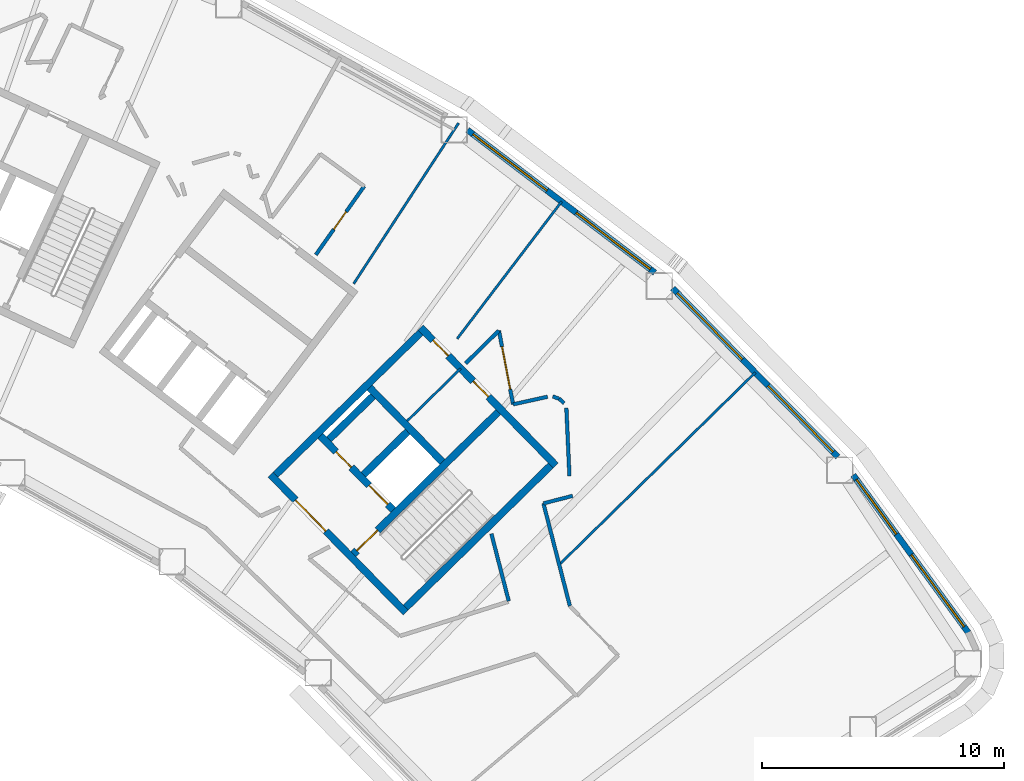
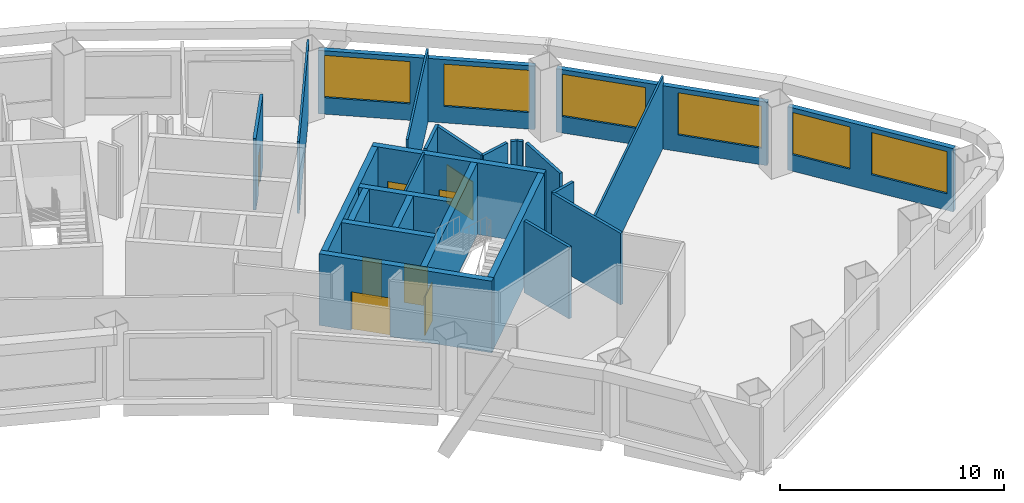
# One storey, part 7 of 11: 26 walls, 8 doors, 6 windows, 14 openings.
"""IFC4 building model written with IfcOpenShell, lengths in metres."""

import ifcopenshell
import ifcopenshell.guid

model = None  # the IFC model being written
_history = None  # IfcOwnerHistory: only IFC2X3 demands one
_inside = {}  # id of a spatial element -> (the spatial element, [elements in it])
_under = {}  # id of a project, library or spatial element -> (it, [spatial elements below it])
_declared = {}  # id of a project -> (the project, [libraries it declares])
_typed = {}  # id of a type object -> (the type object, [elements of that type])
_made_of = {}  # id of a material, layer set ... -> (it, [elements and type objects made of it])


def new_model(schema):
    """Start an empty IFC model of exactly this schema.

    Asked for "IFC4X3", IfcOpenShell would pick the latest addendum, in which some entities
    have other attributes; the version numbers below select the first issue.
    IFC2X3 requires an IfcOwnerHistory on every rooted entity: one is made here for all.
    """
    global model, _history
    if schema == "IFC4X3":
        model = ifcopenshell.file(schema_version=(4, 3, 0, 0))
    else:
        model = ifcopenshell.file(schema=schema)
    _inside.clear()
    _under.clear()
    _declared.clear()
    _typed.clear()
    _made_of.clear()
    _history = None
    if model.schema == "IFC2X3":
        org = make("IfcOrganization", Name="unknown")
        user = make(
            "IfcPersonAndOrganization",
            ThePerson=make("IfcPerson", FamilyName="unknown"),
            TheOrganization=org,
        )
        app = make(
            "IfcApplication",
            ApplicationDeveloper=org,
            Version="unknown",
            ApplicationFullName="unknown",
            ApplicationIdentifier="unknown",
        )
        _history = make(
            "IfcOwnerHistory",
            OwningUser=user,
            OwningApplication=app,
            ChangeAction="ADDED",
            CreationDate=0,
        )
    return model


def make(cls, **values):
    """One entity of the class cls with the attributes given. An attribute that is None is left unset."""
    return model.create_entity(
        cls, **{name: value for name, value in values.items() if value is not None}
    )


def rooted(cls, **values):
    """An entity with a GlobalId (a new one), such as an element, a storey or a relation."""
    return make(cls, GlobalId=ifcopenshell.guid.new(), OwnerHistory=_history, **values)


def si_unit(unit_type, name, prefix=None):
    """IfcSIUnit, for example si_unit("LENGTHUNIT", "METRE", prefix="MILLI")."""
    return make("IfcSIUnit", UnitType=unit_type, Prefix=prefix, Name=name)


def assignment(units):
    """IfcUnitAssignment: the units of a project."""
    return None if units is None else make("IfcUnitAssignment", Units=units)


def point(xyz):
    """IfcCartesianPoint."""
    return None if xyz is None else make("IfcCartesianPoint", Coordinates=xyz)


def direction(xyz):
    """IfcDirection."""
    return None if xyz is None else make("IfcDirection", DirectionRatios=xyz)


def frame(location, z_axis=None, x_axis=None):
    """IfcAxis2Placement3D, a coordinate frame: its origin and axes. An axis left out is left unset."""
    return make(
        "IfcAxis2Placement3D",
        Location=point(location),
        Axis=direction(z_axis),
        RefDirection=direction(x_axis),
    )


def frame_2d(location, x_axis=None):
    """IfcAxis2Placement2D, a coordinate frame in the plane: its origin and x axis."""
    return make(
        "IfcAxis2Placement2D", Location=point(location), RefDirection=direction(x_axis)
    )


def origin():
    """The frame at (0, 0, 0) with its axes left unset."""
    return frame((0.0, 0.0, 0.0))


def place(relative_to, where):
    """IfcLocalPlacement: puts the frame where relative to a parent placement (None: the world)."""
    return make(
        "IfcLocalPlacement", PlacementRelTo=relative_to, RelativePlacement=where
    )


def context(
    kind, dimensions, precision=None, world=None, true_north=None, identifier=None
):
    """IfcGeometricRepresentationContext, for example the 3D "Model" context."""
    return make(
        "IfcGeometricRepresentationContext",
        ContextIdentifier=identifier,
        ContextType=kind,
        CoordinateSpaceDimension=dimensions,
        Precision=precision,
        WorldCoordinateSystem=world,
        TrueNorth=true_north,
    )


def subcontext(parent, identifier, kind, view, scale=None):
    """IfcGeometricRepresentationSubContext, for example "Body" below "Model"."""
    return make(
        "IfcGeometricRepresentationSubContext",
        ContextIdentifier=identifier,
        ContextType=kind,
        ParentContext=parent,
        TargetScale=scale,
        TargetView=view,
    )


def project(units=None, contexts=None):
    """IfcProject with its units and contexts."""
    return rooted(
        "IfcProject",
        Name="project",
        RepresentationContexts=contexts,
        UnitsInContext=assignment(units),
    )


def spatial(cls, under=None, at=None, **own):
    """A site, building, storey or space (cls), placed at a placement, below another one or the project."""
    s = rooted(cls, ObjectPlacement=at, **own)
    if under is not None:
        _under.setdefault(under.id(), (under, []))[1].append(s)
    return s


def profile(cls, at=None, kind="AREA", **sizes):
    """A parametric profile (cls). Its sizes go by their IFC names, for example OverallWidth=200.0."""
    return make(cls, ProfileType=kind, Position=at, **sizes)


def rectangle(**sizes):
    """IfcRectangleProfileDef."""
    return profile("IfcRectangleProfileDef", **sizes)


def extrude(swept, where, along, depth):
    """IfcExtrudedAreaSolid: the profile swept, set in the frame where, extruded along a direction by depth."""
    return make(
        "IfcExtrudedAreaSolid",
        SweptArea=swept,
        Position=where,
        ExtrudedDirection=direction(along),
        Depth=depth,
    )


def shape(context_of_items, identifier, shape_type, items):
    """IfcShapeRepresentation: the items that make up one representation, for example the "Body"."""
    return make(
        "IfcShapeRepresentation",
        ContextOfItems=context_of_items,
        RepresentationIdentifier=identifier,
        RepresentationType=shape_type,
        Items=items,
    )


def material(Name=None, Category=None):
    """IfcMaterial."""
    return make("IfcMaterial", Name=Name, Category=Category)


def layer(
    of_material, thickness, ventilated=None, Name=None, Category=None, Priority=None
):
    """IfcMaterialLayer: one layer of a wall or slab, of a material (None: an air gap)."""
    return make(
        "IfcMaterialLayer",
        Material=of_material,
        LayerThickness=thickness,
        IsVentilated=ventilated,
        Name=Name,
        Category=Category,
        Priority=Priority,
    )


def layer_set(layers, Name=None):
    """IfcMaterialLayerSet."""
    return make("IfcMaterialLayerSet", MaterialLayers=layers, LayerSetName=Name)


def made_of(thing, what):
    """Note that an element or type object is made of a material, layer set ...; save() writes the relation."""
    if what is not None:
        _made_of.setdefault(what.id(), (what, []))[1].append(thing)
    return thing


def type_object(cls, material=None, **own):
    """A type object (cls), such as IfcWallType, which elements share."""
    return made_of(rooted(cls, **own), material)


def element(
    cls,
    number,
    at=None,
    inside=None,
    cuts=None,
    type_object=None,
    material=None,
    context=None,
    identifier="Body",
    shape_type=None,
    held_by="IfcProductDefinitionShape",
    body=None,
    shapes=None,
    **own,
):
    """One element of the class cls, such as IfcWall. Its Tag is "e" and its number.

    at: its placement. inside: the storey or other place that contains it. cuts: it is an
    opening in that element (IfcRelVoidsElement). A single representation is given by context,
    identifier, shape_type and body (its items); several are given by shapes. held_by: the class
    of the entity that holds the representations. save() writes the other relations.
    """
    e = rooted(cls, Tag="e%d" % number, ObjectPlacement=at, **own)
    if body is not None:
        shapes = [shape(context, identifier, shape_type, body)]
    if shapes is not None:
        e.Representation = make(held_by, Representations=shapes)
    if inside is not None:
        _inside.setdefault(inside.id(), (inside, []))[1].append(e)
    if cuts is not None:
        rooted(
            "IfcRelVoidsElement", RelatingBuildingElement=cuts, RelatedOpeningElement=e
        )
    if type_object is not None:
        _typed.setdefault(type_object.id(), (type_object, []))[1].append(e)
    return made_of(e, material)


def fill(opening, filler):
    """IfcRelFillsElement: the door or window that sits in an opening."""
    return rooted(
        "IfcRelFillsElement",
        RelatingOpeningElement=opening,
        RelatedBuildingElement=filler,
    )


def aggregate(whole, parts):
    """IfcRelAggregates: a whole, such as a stair, and the parts it consists of."""
    return rooted("IfcRelAggregates", RelatingObject=whole, RelatedObjects=parts)


def save(model, path):
    """Write the relations noted so far, then the file.

    IfcRelAggregates (storeys below a building ...), IfcRelContainedInSpatialStructure (elements
    in a storey), IfcRelDefinesByType, IfcRelAssociatesMaterial and IfcRelDeclares: one each for
    every whole, place, type object, material and project.
    """
    for whole, parts in _under.values():
        aggregate(whole, parts)
    for where, things in _inside.values():
        rooted(
            "IfcRelContainedInSpatialStructure",
            RelatedElements=things,
            RelatingStructure=where,
        )
    for kind, things in _typed.values():
        rooted("IfcRelDefinesByType", RelatedObjects=things, RelatingType=kind)
    for what, things in _made_of.values():
        rooted("IfcRelAssociatesMaterial", RelatedObjects=things, RelatingMaterial=what)
    for by, libraries in _declared.values():
        rooted("IfcRelDeclares", RelatingContext=by, RelatedDefinitions=libraries)
    model.write(path)


model = new_model("IFC4")

# Units and contexts
model_context = context("Model", 3, precision=1e-05, world=origin(), true_north=direction((0.0, 1.0)))
body_context = subcontext(model_context, "Body", "Model", "MODEL_VIEW")
ifc_project = project(units=[si_unit("LENGTHUNIT", "METRE"), si_unit("AREAUNIT", "SQUARE_METRE"), si_unit("VOLUMEUNIT", "CUBIC_METRE"), si_unit("PLANEANGLEUNIT", "RADIAN"), si_unit("MASSUNIT", "GRAM", prefix="KILO")], contexts=[model_context])

# Site, building, storey
site_placement = place(None, origin())
site = spatial("IfcSite", under=ifc_project, at=site_placement, CompositionType="ELEMENT")
building_placement = place(site_placement, origin())
building = spatial("IfcBuilding", under=site, at=building_placement, Name="Tuul Gate Civic Tower", CompositionType="ELEMENT")
storey_placement = place(building_placement, frame((0.0, 0.0, 120.300048828125)))
storey = spatial("IfcBuildingStorey", under=building, at=storey_placement, Name="Level 27", CompositionType="ELEMENT", Elevation=120.300048828125)

# Wall, opening, door
ifc_material_1 = material(Name="Concrete C50/60", Category="concrete")
ifc_layer_1 = layer(ifc_material_1, 0.300048828125)
ifc_layer_set_1 = layer_set([ifc_layer_1], Name="Concrete C50/60")
wall_type_1 = type_object("IfcWallType", Name="Core wall C50/60", PredefinedType="SHEAR", material=ifc_layer_set_1)
wall_1_placement = place(storey_placement, frame((48.22509765625, -18.327880859375, 0.0), z_axis=(0.0, 0.0, 1.0), x_axis=(-0.700021979774, 0.714121297703, 0.0)))
wall_1 = element("IfcWall", 1, at=wall_1_placement, inside=storey, type_object=wall_type_1, Name="Core wall", PredefinedType="SHEAR", context=body_context, shape_type="SweptSolid", body=[
    extrude(rectangle(XDim=8.0, YDim=0.300048828125, at=frame_2d((4.0, 0.0))), origin(), (0.0, 0.0, 1.0), 3.89990234375),
])
opening_1_placement = place(wall_1_placement, frame((4.72509765625, 0.0, 0.0)))
opening_1 = element("IfcOpeningElement", 2, at=opening_1_placement, cuts=wall_1, Name="Opening LB-E1-LOBBY-1", PredefinedType="OPENING", context=body_context, shape_type="SweptSolid", body=[
    extrude(rectangle(XDim=1.800048828125, YDim=2.10009765625, at=frame_2d((0.89990234375, 1.050048828125))), frame((0.0, 0.16015625, 0.0), z_axis=(0.0, -1.0, 0.0), x_axis=(1.0, 0.0, 0.0)), (0.0, 0.0, 1.0), 0.320068359375),
])
ifc_material_2 = material(Name="Steel", Category="steel")
door_type_1 = type_object("IfcDoorType", Name="Lobby door", OperationType="DOUBLE_DOOR_SINGLE_SWING", PredefinedType="DOOR", material=ifc_material_2)
door_1_placement = place(opening_1_placement, frame((1.800048828125, 0.0, 0.0), z_axis=(0.0, 0.0, 1.0), x_axis=(-1.0, 0.0, 0.0)))
door_1 = element("IfcDoor", 3, at=door_1_placement, inside=storey, type_object=door_type_1, Name="Lobby door E1-LOBBY", OperationType="DOUBLE_DOOR_SINGLE_SWING", OverallHeight=2.10009765625, OverallWidth=1.800048828125, PredefinedType="DOOR", context=body_context, shape_type="SweptSolid", body=[
    extrude(rectangle(XDim=1.800048828125, YDim=2.10009765625, at=frame_2d((0.900146484375, 1.050048828125))), frame((0.0, 0.02490234375, 0.0), z_axis=(0.0, -1.0, 0.0), x_axis=(1.0, 0.0, 0.0)), (0.0, 0.0, 1.0), 0.050048828125),
])
fill(opening_1, door_1)

# Wall, openings, doors
wall_2_placement = place(storey_placement, frame((47.701904296875, -14.079833984375, 0.0), z_axis=(0.0, 0.0, 1.0), x_axis=(-0.700002721075, 0.714140175657, 0.0)))
wall_2 = element("IfcWall", 4, at=wall_2_placement, inside=storey, type_object=wall_type_1, Name="Core wall", PredefinedType="SHEAR", context=body_context, shape_type="SweptSolid", body=[
    extrude(rectangle(XDim=4.300048828125, YDim=0.300048828125, at=frame_2d((2.14990234375, 0.0))), origin(), (0.0, 0.0, 1.0), 3.89990234375),
])
opening_2_placement = place(wall_2_placement, frame((0.324951171875, 0.0, 0.0)))
opening_2 = element("IfcOpeningElement", 5, at=opening_2_placement, cuts=wall_2, Name="Opening LD-L4", PredefinedType="OPENING", context=body_context, shape_type="SweptSolid", body=[
    extrude(rectangle(XDim=1.10009765625, YDim=2.10009765625, at=frame_2d((0.550048828125, 1.050048828125))), frame((0.0, 0.16015625, 0.0), z_axis=(0.0, -1.0, 0.0), x_axis=(1.0, 0.0, 0.0)), (0.0, 0.0, 1.0), 0.320068359375),
])
opening_3_placement = place(wall_2_placement, frame((2.47509765625, 0.0, 0.0)))
opening_3 = element("IfcOpeningElement", 6, at=opening_3_placement, cuts=wall_2, Name="Opening FB-E1A2", PredefinedType="OPENING", context=body_context, shape_type="SweptSolid", body=[
    extrude(rectangle(XDim=0.89990234375, YDim=2.10009765625, at=frame_2d((0.449951171875, 1.050048828125))), frame((0.0, 0.16015625, 0.0), z_axis=(0.0, -1.0, 0.0), x_axis=(1.0, 0.0, 0.0)), (0.0, 0.0, 1.0), 0.320068359375),
])
ifc_material_3 = material(Name="Stainless steel", Category="steel")
door_type_2 = type_object("IfcDoorType", Name="Landing door", OperationType="DOUBLE_DOOR_SLIDING", PredefinedType="DOOR", material=ifc_material_3)
door_2_placement = place(opening_2_placement, origin())
door_2 = element("IfcDoor", 7, at=door_2_placement, inside=storey, type_object=door_type_2, Name="Low-rise lift L4 landing door", OperationType="DOUBLE_DOOR_SLIDING", OverallHeight=2.10009765625, OverallWidth=1.10009765625, PredefinedType="DOOR", context=body_context, shape_type="SweptSolid", body=[
    extrude(rectangle(XDim=1.10009765625, YDim=2.10009765625, at=frame_2d((0.550048828125, 1.050048828125))), frame((0.0, 0.02490234375, 0.0), z_axis=(0.0, -1.0, 0.0), x_axis=(1.0, 0.0, 0.0)), (0.0, 0.0, 1.0), 0.050048828125),
])
fill(opening_2, door_2)
ifc_material_4 = material(Name="Steel", Category="steel")
door_type_3 = type_object("IfcDoorType", Name="Store door", OperationType="NOTDEFINED", PredefinedType="DOOR", material=ifc_material_4)
door_3_placement = place(opening_3_placement, frame((0.89990234375, 0.0, 0.0), z_axis=(0.0, 0.0, 1.0), x_axis=(-1.0, 0.0, 0.0)))
door_3 = element("IfcDoor", 8, at=door_3_placement, inside=storey, type_object=door_type_3, Name="Store door E1A2", OperationType="SINGLE_SWING_LEFT", OverallHeight=2.10009765625, OverallWidth=0.89990234375, PredefinedType="DOOR", context=body_context, shape_type="SweptSolid", body=[
    extrude(rectangle(XDim=0.89990234375, YDim=2.10009765625, at=frame_2d((0.449951171875, 1.050048828125))), frame((0.0, 0.02490234375, 0.0), z_axis=(0.0, -1.0, 0.0), x_axis=(1.0, 0.0, 0.0)), (0.0, 0.0, 1.0), 0.050048828125),
])
fill(opening_3, door_3)

# Wall
wall_3_placement = place(storey_placement, frame((49.737060546875, -12.0849609375, 0.0), z_axis=(0.0, 0.0, 1.0), x_axis=(-0.700002721075, 0.714140175657, 0.0)))
element("IfcWall", 9, at=wall_3_placement, inside=storey, type_object=wall_type_1, Name="Core wall", PredefinedType="SHEAR", context=body_context, shape_type="SweptSolid", body=[
    extrude(rectangle(XDim=4.300048828125, YDim=0.300048828125, at=frame_2d((2.14990234375, 0.0))), origin(), (0.0, 0.0, 1.0), 3.89990234375),
])

# Wall, openings, doors
wall_4_placement = place(storey_placement, frame((54.43798828125, -12.23779296875, 0.0), z_axis=(0.0, 0.0, 1.0), x_axis=(-0.700021979774, 0.714121297703, 0.0)))
wall_4 = element("IfcWall", 10, at=wall_4_placement, inside=storey, type_object=wall_type_1, Name="Core wall", PredefinedType="SHEAR", context=body_context, shape_type="SweptSolid", body=[
    extrude(rectangle(XDim=8.0, YDim=0.300048828125, at=frame_2d((4.0, 0.0))), origin(), (0.0, 0.0, 1.0), 3.89990234375),
])
opening_4_placement = place(wall_4_placement, frame((3.987548828125, 0.0, 0.0)))
opening_4 = element("IfcOpeningElement", 11, at=opening_4_placement, cuts=wall_4, Name="Opening I-D28", PredefinedType="OPENING", context=body_context, shape_type="SweptSolid", body=[
    extrude(rectangle(XDim=0.89990234375, YDim=2.10009765625, at=frame_2d((0.449951171875, 1.050048828125))), frame((0.0, 0.16015625, 0.0), z_axis=(0.0, -1.0, 0.0), x_axis=(1.0, 0.0, 0.0)), (0.0, 0.0, 1.0), 0.320068359375),
])
opening_5_placement = place(wall_4_placement, frame((6.362548828125, 0.0, 0.0)))
opening_5 = element("IfcOpeningElement", 12, at=opening_5_placement, cuts=wall_4, Name="Opening I-D29", PredefinedType="OPENING", context=body_context, shape_type="SweptSolid", body=[
    extrude(rectangle(XDim=0.89990234375, YDim=2.10009765625, at=frame_2d((0.449951171875, 1.050048828125))), frame((0.0, 0.16015625, 0.0), z_axis=(0.0, -1.0, 0.0), x_axis=(1.0, 0.0, 0.0)), (0.0, 0.0, 1.0), 0.320068359375),
])
ifc_material_5 = material(Name="Timber door leaf", Category="wood")
door_type_4 = type_object("IfcDoorType", Name="Door D09", OperationType="NOTDEFINED", PredefinedType="DOOR", material=ifc_material_5)
door_4_placement = place(opening_4_placement, origin())
door_4 = element("IfcDoor", 13, at=door_4_placement, inside=storey, type_object=door_type_4, Name="Door I-D28", OperationType="SINGLE_SWING_LEFT", OverallHeight=2.10009765625, OverallWidth=0.89990234375, PredefinedType="DOOR", context=body_context, shape_type="SweptSolid", body=[
    extrude(rectangle(XDim=0.89990234375, YDim=2.10009765625, at=frame_2d((0.449951171875, 1.050048828125))), frame((0.0, 0.02490234375, 0.0), z_axis=(0.0, -1.0, 0.0), x_axis=(1.0, 0.0, 0.0)), (0.0, 0.0, 1.0), 0.050048828125),
])
fill(opening_4, door_4)
door_5_placement = place(opening_5_placement, origin())
door_5 = element("IfcDoor", 14, at=door_5_placement, inside=storey, type_object=door_type_4, Name="Door I-D29", OperationType="SINGLE_SWING_LEFT", OverallHeight=2.10009765625, OverallWidth=0.89990234375, PredefinedType="DOOR", context=body_context, shape_type="SweptSolid", body=[
    extrude(rectangle(XDim=0.89990234375, YDim=2.10009765625, at=frame_2d((0.449951171875, 1.050048828125))), frame((0.0, 0.02490234375, 0.0), z_axis=(0.0, -1.0, 0.0), x_axis=(1.0, 0.0, 0.0)), (0.0, 0.0, 1.0), 0.050048828125),
])
fill(opening_5, door_5)

# Wall
wall_5_placement = place(storey_placement, frame((48.227294921875, -18.115966796875, 0.0), z_axis=(0.0, 0.0, 1.0), x_axis=(0.714105315431, 0.700038283577, 0.0)))
element("IfcWall", 15, at=wall_5_placement, inside=storey, type_object=wall_type_1, Name="Core wall", PredefinedType="SHEAR", context=body_context, shape_type="SweptSolid", body=[
    extrude(rectangle(XDim=8.400146484375, YDim=0.300048828125, at=frame_2d((4.2001953125, 0.0))), origin(), (0.0, 0.0, 1.0), 3.89990234375),
])

# Wall, opening, door
wall_6_placement = place(storey_placement, frame((46.05712890625, -15.902099609375, 0.0), z_axis=(0.0, 0.0, 1.0), x_axis=(0.714134086973, 0.700008932674, 0.0)))
wall_6 = element("IfcWall", 16, at=wall_6_placement, inside=storey, type_object=wall_type_1, Name="Core wall", PredefinedType="SHEAR", context=body_context, shape_type="SweptSolid", body=[
    extrude(rectangle(XDim=8.400146484375, YDim=0.300048828125, at=frame_2d((4.2001953125, 0.0))), origin(), (0.0, 0.0, 1.0), 3.89990234375),
])
opening_6_placement = place(wall_6_placement, frame((0.199951171875, 0.0, 0.0)))
opening_6 = element("IfcOpeningElement", 17, at=opening_6_placement, cuts=wall_6, Name="Opening SD-ST-3", PredefinedType="OPENING", context=body_context, shape_type="SweptSolid", body=[
    extrude(rectangle(XDim=1.199951171875, YDim=2.10009765625, at=frame_2d((0.60009765625, 1.050048828125))), frame((0.0, 0.16015625, 0.0), z_axis=(0.0, -1.0, 0.0), x_axis=(1.0, 0.0, 0.0)), (0.0, 0.0, 1.0), 0.320068359375),
])
ifc_material_6 = material(Name="Steel", Category="steel")
door_type_5 = type_object("IfcDoorType", Name="Stair door", OperationType="NOTDEFINED", PredefinedType="DOOR", material=ifc_material_6)
door_6_placement = place(opening_6_placement, origin())
door_6 = element("IfcDoor", 18, at=door_6_placement, inside=storey, type_object=door_type_5, Name="Stair door ST-3", OperationType="SINGLE_SWING_LEFT", OverallHeight=2.10009765625, OverallWidth=1.199951171875, PredefinedType="DOOR", context=body_context, shape_type="SweptSolid", body=[
    extrude(rectangle(XDim=1.199951171875, YDim=2.10009765625, at=frame_2d((0.60009765625, 1.050048828125))), frame((0.0, 0.02490234375, 0.0), z_axis=(0.0, -1.0, 0.0), x_axis=(1.0, 0.0, 0.0)), (0.0, 0.0, 1.0), 0.050048828125),
])
fill(opening_6, door_6)

# Walls
wall_7_placement = place(storey_placement, frame((46.47900390625, -12.617919921875, 0.0), z_axis=(0.0, 0.0, 1.0), x_axis=(0.71410944159, 0.700034074479, 0.0)))
element("IfcWall", 19, at=wall_7_placement, inside=storey, type_object=wall_type_1, Name="Core wall", PredefinedType="SHEAR", context=body_context, shape_type="SweptSolid", body=[
    extrude(rectangle(XDim=2.5498046875, YDim=0.300048828125, at=frame_2d((1.27490234375, 0.0))), origin(), (0.0, 0.0, 1.0), 3.89990234375),
])
wall_8_placement = place(storey_placement, frame((45.0439453125, -11.154052734375, 0.0), z_axis=(0.0, 0.0, 1.0), x_axis=(0.714108498262, 0.700035036773, 0.0)))
element("IfcWall", 20, at=wall_8_placement, inside=storey, type_object=wall_type_1, Name="Core wall", PredefinedType="SHEAR", context=body_context, shape_type="SweptSolid", body=[
    extrude(rectangle(XDim=2.550048828125, YDim=0.300048828125, at=frame_2d((1.27490234375, 0.0))), origin(), (0.0, 0.0, 1.0), 3.89990234375),
])
wall_9_placement = place(storey_placement, frame((42.837158203125, -12.616943359375, 0.0), z_axis=(0.0, 0.0, 1.0), x_axis=(0.714119844755, 0.700023461983, 0.0)))
element("IfcWall", 21, at=wall_9_placement, inside=storey, type_object=wall_type_1, Name="Core wall", PredefinedType="SHEAR", context=body_context, shape_type="SweptSolid", body=[
    extrude(rectangle(XDim=8.39990234375, YDim=0.300048828125, at=frame_2d((4.199951171875, 0.0))), origin(), (0.0, 0.0, 1.0), 3.89990234375),
])

# Wall, opening, door
ifc_material_7 = material(Name="Gypsum board partition")
ifc_layer_2 = layer(ifc_material_7, 0.14990234375)
ifc_layer_set_2 = layer_set([ifc_layer_2], Name="Gypsum board partition")
wall_type_2 = type_object("IfcWallType", Name="Corridor wall P150", PredefinedType="PARTITIONING", material=ifc_layer_set_2)
wall_10_placement = place(storey_placement, frame((52.0830078125, -6.65283203125, 0.0), z_axis=(0.0, 0.0, 1.0), x_axis=(0.1884978137, -0.982073609375, 0.0)))
wall_10 = element("IfcWall", 22, at=wall_10_placement, inside=storey, type_object=wall_type_2, Name="p006", PredefinedType="PARTITIONING", context=body_context, shape_type="SweptSolid", body=[
    extrude(rectangle(XDim=3.1083984375, YDim=0.14990234375, at=frame_2d((1.55419921875, 0.0))), origin(), (0.0, 0.0, 1.0), 3.89990234375),
])
opening_7_placement = place(wall_10_placement, frame((0.676025390625, 0.0, 0.0)))
opening_7 = element("IfcOpeningElement", 23, at=opening_7_placement, cuts=wall_10, Name="Opening I-D02", PredefinedType="OPENING", context=body_context, shape_type="SweptSolid", body=[
    extrude(rectangle(XDim=1.800048828125, YDim=2.10009765625, at=frame_2d((0.89990234375, 1.050048828125))), frame((0.0, 0.0849609375, 0.0), z_axis=(0.0, -1.0, 0.0), x_axis=(1.0, 0.0, 0.0)), (0.0, 0.0, 1.0), 0.169921875),
])
ifc_material_8 = material(Name="Timber door leaf, double", Category="wood")
door_type_6 = type_object("IfcDoorType", Name="Door D18", OperationType="DOUBLE_DOOR_SINGLE_SWING", PredefinedType="DOOR", material=ifc_material_8)
door_7_placement = place(opening_7_placement, origin())
door_7 = element("IfcDoor", 24, at=door_7_placement, inside=storey, type_object=door_type_6, Name="Door I-D02", OperationType="DOUBLE_DOOR_SINGLE_SWING", OverallHeight=2.10009765625, OverallWidth=1.800048828125, PredefinedType="DOOR", context=body_context, shape_type="SweptSolid", body=[
    extrude(rectangle(XDim=1.800048828125, YDim=2.10009765625, at=frame_2d((0.89990234375, 1.050048828125))), frame((0.0, 0.02490234375, 0.0), z_axis=(0.0, -1.0, 0.0), x_axis=(1.0, 0.0, 0.0)), (0.0, 0.0, 1.0), 0.050048828125),
])
fill(opening_7, door_7)

# Walls
wall_11_placement = place(storey_placement, frame((53.925048828125, -13.805908203125, 0.0), z_axis=(0.0, 0.0, 1.0), x_axis=(0.249340898123, -0.96841577668, 0.0)))
element("IfcWall", 25, at=wall_11_placement, inside=storey, type_object=wall_type_2, Name="p007", PredefinedType="PARTITIONING", context=body_context, shape_type="SweptSolid", body=[
    extrude(rectangle(XDim=4.385498046875, YDim=0.14990234375, at=frame_2d((2.19287109375, 0.0))), origin(), (0.0, 0.0, 1.0), 3.89990234375),
])
wall_12_placement = place(storey_placement, frame((53.925048828125, -13.805908203125, 0.0), z_axis=(0.0, 0.0, 1.0), x_axis=(0.968403908325, 0.249386989116, 0.0)))
element("IfcWall", 26, at=wall_12_placement, inside=storey, type_object=wall_type_2, Name="p009", PredefinedType="PARTITIONING", context=body_context, shape_type="SweptSolid", body=[
    extrude(rectangle(XDim=1.248291015625, YDim=0.14990234375, at=frame_2d((0.6240234375, 0.0))), origin(), (0.0, 0.0, 1.0), 3.89990234375),
])
wall_13_placement = place(storey_placement, frame((54.8740234375, -9.8525390625, 0.0), z_axis=(0.0, 0.0, 1.0), x_axis=(0.045149211291, -0.998980254419, 0.0)))
element("IfcWall", 27, at=wall_13_placement, inside=storey, type_object=wall_type_2, Name="p010", PredefinedType="PARTITIONING", context=body_context, shape_type="SweptSolid", body=[
    extrude(rectangle(XDim=2.828125, YDim=0.14990234375, at=frame_2d((1.4140625, 0.0))), origin(), (0.0, 0.0, 1.0), 3.89990234375),
])
wall_14_placement = place(storey_placement, frame((54.574951171875, -9.47265625, 0.0), z_axis=(0.0, 0.0, 1.0), x_axis=(0.741948737012, -0.670456614291, 0.0)))
element("IfcWall", 28, at=wall_14_placement, inside=storey, type_object=wall_type_2, Name="p011", PredefinedType="PARTITIONING", context=body_context, shape_type="SweptSolid", body=[
    extrude(rectangle(XDim=0.280029296875, YDim=0.14990234375, at=frame_2d((0.14013671875, 0.0))), origin(), (0.0, 0.0, 1.0), 3.89990234375),
])
wall_15_placement = place(storey_placement, frame((54.3115234375, -9.37890625, 0.0), z_axis=(0.0, 0.0, 1.0), x_axis=(0.942116656324, -0.335285260453, 0.0)))
element("IfcWall", 29, at=wall_15_placement, inside=storey, type_object=wall_type_2, Name="p012", PredefinedType="PARTITIONING", context=body_context, shape_type="SweptSolid", body=[
    extrude(rectangle(XDim=0.279541015625, YDim=0.14990234375, at=frame_2d((0.1396484375, 0.0))), origin(), (0.0, 0.0, 1.0), 3.89990234375),
])
wall_16_placement = place(storey_placement, frame((52.6689453125, -9.70556640625, 0.0), z_axis=(0.0, 0.0, 1.0), x_axis=(0.976359687443, 0.216152170325, 0.0)))
element("IfcWall", 30, at=wall_16_placement, inside=storey, type_object=wall_type_2, Name="p013", PredefinedType="PARTITIONING", context=body_context, shape_type="SweptSolid", body=[
    extrude(rectangle(XDim=1.461669921875, YDim=0.14990234375, at=frame_2d((0.73095703125, 0.0))), origin(), (0.0, 0.0, 1.0), 3.89990234375),
])
wall_17_placement = place(storey_placement, frame((50.70654296875, -8.002685546875, 0.0), z_axis=(0.0, 0.0, 1.0), x_axis=(0.713912679862, 0.700234736022, 0.0)))
element("IfcWall", 31, at=wall_17_placement, inside=storey, type_object=wall_type_2, Name="p014", PredefinedType="PARTITIONING", context=body_context, shape_type="SweptSolid", body=[
    extrude(rectangle(XDim=1.927734375, YDim=0.14990234375, at=frame_2d((0.9638671875, 0.0))), origin(), (0.0, 0.0, 1.0), 3.89990234375),
])

# Wall, opening, door
wall_18_placement = place(storey_placement, frame((44.500732421875, -3.5126953125, 0.0), z_axis=(0.0, 0.0, 1.0), x_axis=(0.576249471411, 0.817273850492, 0.0)))
wall_18 = element("IfcWall", 32, at=wall_18_placement, inside=storey, type_object=wall_type_2, Name="p019", PredefinedType="PARTITIONING", context=body_context, shape_type="SweptSolid", body=[
    extrude(rectangle(XDim=3.47021484375, YDim=0.14990234375, at=frame_2d((1.735107421875, 0.0))), origin(), (0.0, 0.0, 1.0), 3.89990234375),
])
opening_8_placement = place(wall_18_placement, frame((1.28515625, 0.0, 0.0)))
opening_8 = element("IfcOpeningElement", 33, at=opening_8_placement, cuts=wall_18, Name="Opening I-D04", PredefinedType="OPENING", context=body_context, shape_type="SweptSolid", body=[
    extrude(rectangle(XDim=0.89990234375, YDim=2.10009765625, at=frame_2d((0.449951171875, 1.050048828125))), frame((0.0, 0.0849609375, 0.0), z_axis=(0.0, -1.0, 0.0), x_axis=(1.0, 0.0, 0.0)), (0.0, 0.0, 1.0), 0.169921875),
])
door_8_placement = place(opening_8_placement, frame((0.89990234375, 0.0, 0.0), z_axis=(0.0, 0.0, 1.0), x_axis=(-1.0, 0.0, 0.0)))
door_8 = element("IfcDoor", 34, at=door_8_placement, inside=storey, type_object=door_type_4, Name="Door I-D04", OperationType="SINGLE_SWING_RIGHT", OverallHeight=2.10009765625, OverallWidth=0.89990234375, PredefinedType="DOOR", context=body_context, shape_type="SweptSolid", body=[
    extrude(rectangle(XDim=0.89990234375, YDim=2.10009765625, at=frame_2d((0.449951171875, 1.050048828125))), frame((0.0, 0.02490234375, 0.0), z_axis=(0.0, -1.0, 0.0), x_axis=(1.0, 0.0, 0.0)), (0.0, 0.0, 1.0), 0.050048828125),
])
fill(opening_8, door_8)

# Wall
wall_19_placement = place(storey_placement, frame((51.7705078125, -15.063720703125, 0.0), z_axis=(0.0, 0.0, 1.0), x_axis=(0.249418560163, -0.968395777483, 0.0)))
element("IfcWall", 35, at=wall_19_placement, inside=storey, type_object=wall_type_2, Name="p085", PredefinedType="PARTITIONING", context=body_context, shape_type="SweptSolid", body=[
    extrude(rectangle(XDim=2.876708984375, YDim=0.14990234375, at=frame_2d((1.4384765625, 0.0))), origin(), (0.0, 0.0, 1.0), 3.89990234375),
])

# Wall, openings, windows
ifc_material_9 = material(Name="Precast concrete C40/50", Category="concrete")
ifc_layer_3 = layer(ifc_material_9, 0.25)
ifc_layer_set_3 = layer_set([ifc_layer_3], Name="Precast concrete C40/50")
wall_type_3 = type_object("IfcWallType", Name="External wall", PredefinedType="STANDARD", material=ifc_layer_set_3)
wall_20_placement = place(storey_placement, frame((71.51806640625, -19.15869140625, 0.0), z_axis=(0.0, 0.0, 1.0), x_axis=(-0.589826474226, 0.807530018205, 0.0)))
wall_20 = element("IfcWall", 36, at=wall_20_placement, inside=storey, type_object=wall_type_3, Name="External wall", PredefinedType="STANDARD", context=body_context, shape_type="SweptSolid", body=[
    extrude(rectangle(XDim=8.082275390625, YDim=0.25, at=frame_2d((4.041015625, 0.0))), origin(), (0.0, 0.0, 1.0), 3.449951171875),
])
opening_9_placement = place(wall_20_placement, frame((0.30078125, 0.0, 0.89990234375)))
opening_9 = element("IfcOpeningElement", 37, at=opening_9_placement, cuts=wall_20, Name="Opening W21", PredefinedType="OPENING", context=body_context, shape_type="SweptSolid", body=[
    extrude(rectangle(XDim=3.699951171875, YDim=2.300048828125, at=frame_2d((1.85009765625, 1.14990234375))), frame((0.0, 0.135009765625, 0.0), z_axis=(0.0, -1.0, 0.0), x_axis=(1.0, 0.0, 0.0)), (0.0, 0.0, 1.0), 0.27001953125),
])
opening_10_placement = place(wall_20_placement, frame((5.052001953125, 0.0, 0.89990234375)))
opening_10 = element("IfcOpeningElement", 38, at=opening_10_placement, cuts=wall_20, Name="Opening W23", PredefinedType="OPENING", context=body_context, shape_type="SweptSolid", body=[
    extrude(rectangle(XDim=2.800048828125, YDim=2.300048828125, at=frame_2d((1.39990234375, 1.14990234375))), frame((0.0, 0.135009765625, 0.0), z_axis=(0.0, -1.0, 0.0), x_axis=(1.0, 0.0, 0.0)), (0.0, 0.0, 1.0), 0.27001953125),
])
ifc_material_10 = material(Name="Glass", Category="glass")
window_type_1 = type_object("IfcWindowType", Name="Window W21 3700 x 2300", PartitioningType="SINGLE_PANEL", PredefinedType="WINDOW", material=ifc_material_10)
window_1_placement = place(opening_9_placement, origin())
window_1 = element("IfcWindow", 39, at=window_1_placement, inside=storey, type_object=window_type_1, Name="Window", OverallHeight=2.300048828125, OverallWidth=3.699951171875, PartitioningType="SINGLE_PANEL", PredefinedType="WINDOW", context=body_context, shape_type="SweptSolid", body=[
    extrude(rectangle(XDim=3.699951171875, YDim=2.300048828125, at=frame_2d((1.85009765625, 1.14990234375))), frame((0.0, 0.030029296875, 0.0), z_axis=(0.0, -1.0, 0.0), x_axis=(1.0, 0.0, 0.0)), (0.0, 0.0, 1.0), 0.06005859375),
])
fill(opening_9, window_1)
ifc_material_11 = material(Name="Glass", Category="glass")
window_type_2 = type_object("IfcWindowType", Name="Window W23 2800 x 2300", PartitioningType="SINGLE_PANEL", PredefinedType="WINDOW", material=ifc_material_11)
window_2_placement = place(opening_10_placement, origin())
window_2 = element("IfcWindow", 40, at=window_2_placement, inside=storey, type_object=window_type_2, Name="Window", OverallHeight=2.300048828125, OverallWidth=2.800048828125, PartitioningType="SINGLE_PANEL", PredefinedType="WINDOW", context=body_context, shape_type="SweptSolid", body=[
    extrude(rectangle(XDim=2.800048828125, YDim=2.300048828125, at=frame_2d((1.39990234375, 1.14990234375))), frame((0.0, 0.030029296875, 0.0), z_axis=(0.0, -1.0, 0.0), x_axis=(1.0, 0.0, 0.0)), (0.0, 0.0, 1.0), 0.06005859375),
])
fill(opening_10, window_2)

wall_21_placement = place(storey_placement, frame((66.1162109375, -11.87890625, 0.0), z_axis=(0.0, 0.0, 1.0), x_axis=(-0.700013456131, 0.714129652959, 0.0)))
wall_21 = element("IfcWall", 41, at=wall_21_placement, inside=storey, type_object=wall_type_3, Name="External wall", PredefinedType="STANDARD", context=body_context, shape_type="SweptSolid", body=[
    extrude(rectangle(XDim=9.771728515625, YDim=0.25, at=frame_2d((4.8857421875, 0.0))), origin(), (0.0, 0.0, 1.0), 3.449951171875),
])
opening_11_placement = place(wall_21_placement, frame((0.275634765625, 0.0, 0.89990234375)))
opening_11 = element("IfcOpeningElement", 42, at=opening_11_placement, cuts=wall_21, Name="Opening W22", PredefinedType="OPENING", context=body_context, shape_type="SweptSolid", body=[
    extrude(rectangle(XDim=3.85009765625, YDim=2.300048828125, at=frame_2d((1.925048828125, 1.14990234375))), frame((0.0, 0.135009765625, 0.0), z_axis=(0.0, -1.0, 0.0), x_axis=(1.0, 0.0, 0.0)), (0.0, 0.0, 1.0), 0.27001953125),
])
opening_12_placement = place(wall_21_placement, frame((5.64697265625, 0.0, 0.89990234375)))
opening_12 = element("IfcOpeningElement", 43, at=opening_12_placement, cuts=wall_21, Name="Opening W22", PredefinedType="OPENING", context=body_context, shape_type="SweptSolid", body=[
    extrude(rectangle(XDim=3.85009765625, YDim=2.300048828125, at=frame_2d((1.925048828125, 1.14990234375))), frame((0.0, 0.135009765625, 0.0), z_axis=(0.0, -1.0, 0.0), x_axis=(1.0, 0.0, 0.0)), (0.0, 0.0, 1.0), 0.27001953125),
])
ifc_material_12 = material(Name="Glass", Category="glass")
window_type_3 = type_object("IfcWindowType", Name="Window W22 3850 x 2300", PartitioningType="SINGLE_PANEL", PredefinedType="WINDOW", material=ifc_material_12)
window_3_placement = place(opening_11_placement, origin())
window_3 = element("IfcWindow", 44, at=window_3_placement, inside=storey, type_object=window_type_3, Name="Window", OverallHeight=2.300048828125, OverallWidth=3.85009765625, PartitioningType="SINGLE_PANEL", PredefinedType="WINDOW", context=body_context, shape_type="SweptSolid", body=[
    extrude(rectangle(XDim=3.85009765625, YDim=2.300048828125, at=frame_2d((1.925048828125, 1.14990234375))), frame((0.0, 0.030029296875, 0.0), z_axis=(0.0, -1.0, 0.0), x_axis=(1.0, 0.0, 0.0)), (0.0, 0.0, 1.0), 0.06005859375),
])
fill(opening_11, window_3)
window_4_placement = place(opening_12_placement, origin())
window_4 = element("IfcWindow", 45, at=window_4_placement, inside=storey, type_object=window_type_3, Name="Window", OverallHeight=2.300048828125, OverallWidth=3.85009765625, PartitioningType="SINGLE_PANEL", PredefinedType="WINDOW", context=body_context, shape_type="SweptSolid", body=[
    extrude(rectangle(XDim=3.85009765625, YDim=2.300048828125, at=frame_2d((1.925048828125, 1.14990234375))), frame((0.0, 0.030029296875, 0.0), z_axis=(0.0, -1.0, 0.0), x_axis=(1.0, 0.0, 0.0)), (0.0, 0.0, 1.0), 0.06005859375),
])
fill(opening_12, window_4)

wall_22_placement = place(storey_placement, frame((58.540283203125, -4.25390625, 0.0), z_axis=(0.0, 0.0, 1.0), x_axis=(-0.795623043201, 0.605792021346, 0.0)))
wall_22 = element("IfcWall", 46, at=wall_22_placement, inside=storey, type_object=wall_type_3, Name="External wall", PredefinedType="STANDARD", context=body_context, shape_type="SweptSolid", body=[
    extrude(rectangle(XDim=9.75244140625, YDim=0.25, at=frame_2d((4.876220703125, 0.0))), origin(), (0.0, 0.0, 1.0), 3.449951171875),
])
opening_13_placement = place(wall_22_placement, frame((0.24658203125, 0.0, 0.89990234375)))
opening_13 = element("IfcOpeningElement", 47, at=opening_13_placement, cuts=wall_22, Name="Opening W22", PredefinedType="OPENING", context=body_context, shape_type="SweptSolid", body=[
    extrude(rectangle(XDim=3.85009765625, YDim=2.300048828125, at=frame_2d((1.925048828125, 1.14990234375))), frame((0.0, 0.135009765625, 0.0), z_axis=(0.0, -1.0, 0.0), x_axis=(1.0, 0.0, 0.0)), (0.0, 0.0, 1.0), 0.27001953125),
])
opening_14_placement = place(wall_22_placement, frame((5.617919921875, 0.0, 0.89990234375)))
opening_14 = element("IfcOpeningElement", 48, at=opening_14_placement, cuts=wall_22, Name="Opening W22", PredefinedType="OPENING", context=body_context, shape_type="SweptSolid", body=[
    extrude(rectangle(XDim=3.85009765625, YDim=2.300048828125, at=frame_2d((1.925048828125, 1.14990234375))), frame((0.0, 0.135009765625, 0.0), z_axis=(0.0, -1.0, 0.0), x_axis=(1.0, 0.0, 0.0)), (0.0, 0.0, 1.0), 0.27001953125),
])
window_5_placement = place(opening_13_placement, origin())
window_5 = element("IfcWindow", 49, at=window_5_placement, inside=storey, type_object=window_type_3, Name="Window", OverallHeight=2.300048828125, OverallWidth=3.85009765625, PartitioningType="SINGLE_PANEL", PredefinedType="WINDOW", context=body_context, shape_type="SweptSolid", body=[
    extrude(rectangle(XDim=3.85009765625, YDim=2.300048828125, at=frame_2d((1.925048828125, 1.14990234375))), frame((0.0, 0.030029296875, 0.0), z_axis=(0.0, -1.0, 0.0), x_axis=(1.0, 0.0, 0.0)), (0.0, 0.0, 1.0), 0.06005859375),
])
fill(opening_13, window_5)
window_6_placement = place(opening_14_placement, origin())
window_6 = element("IfcWindow", 50, at=window_6_placement, inside=storey, type_object=window_type_3, Name="Window", OverallHeight=2.300048828125, OverallWidth=3.85009765625, PartitioningType="SINGLE_PANEL", PredefinedType="WINDOW", context=body_context, shape_type="SweptSolid", body=[
    extrude(rectangle(XDim=3.85009765625, YDim=2.300048828125, at=frame_2d((1.925048828125, 1.14990234375))), frame((0.0, 0.030029296875, 0.0), z_axis=(0.0, -1.0, 0.0), x_axis=(1.0, 0.0, 0.0)), (0.0, 0.0, 1.0), 0.06005859375),
])
fill(opening_14, window_6)

# Walls
ifc_material_13 = material(Name="Gypsum board partition")
ifc_layer_4 = layer(ifc_material_13, 0.10009765625)
ifc_layer_set_4 = layer_set([ifc_layer_4], Name="Gypsum board partition")
wall_type_4 = type_object("IfcWallType", Name="Partition P100", PredefinedType="PARTITIONING", material=ifc_layer_set_4)
wall_23_placement = place(storey_placement, frame((54.5791015625, -16.345703125, 0.0), z_axis=(0.0, 0.0, 1.0), x_axis=(0.714124820437, 0.70001838607, 0.0)))
element("IfcWall", 51, at=wall_23_placement, inside=storey, type_object=wall_type_4, Name="p001", PredefinedType="PARTITIONING", context=body_context, shape_type="SweptSolid", body=[
    extrude(rectangle(XDim=11.37060546875, YDim=0.10009765625, at=frame_2d((5.685302734375, 0.0))), origin(), (0.0, 0.0, 1.0), 3.89990234375),
])
wall_24_placement = place(storey_placement, frame((50.35302734375, -6.98876953125, 0.0), z_axis=(0.0, 0.0, 1.0), x_axis=(0.605815533977, 0.795605139999, 0.0)))
element("IfcWall", 52, at=wall_24_placement, inside=storey, type_object=wall_type_4, Name="p008", PredefinedType="PARTITIONING", context=body_context, shape_type="SweptSolid", body=[
    extrude(rectangle(XDim=7.140625, YDim=0.10009765625, at=frame_2d((3.5703125, 0.0))), origin(), (0.0, 0.0, 1.0), 3.89990234375),
])
wall_25_placement = place(storey_placement, frame((46.0703125, -4.70849609375, 0.0), z_axis=(0.0, 0.0, 1.0), x_axis=(0.546736563125, 0.837304682026, 0.0)))
element("IfcWall", 53, at=wall_25_placement, inside=storey, type_object=wall_type_4, Name="p015", PredefinedType="PARTITIONING", context=body_context, shape_type="SweptSolid", body=[
    extrude(rectangle(XDim=7.941650390625, YDim=0.10009765625, at=frame_2d((3.970703125, 0.0))), origin(), (0.0, 0.0, 1.0), 3.89990234375),
])
wall_26_placement = place(storey_placement, frame((48.28662109375, -10.390869140625, 0.0), z_axis=(0.0, 0.0, 1.0), x_axis=(0.714159293908, 0.699983216173, 0.0)))
element("IfcWall", 54, at=wall_26_placement, inside=storey, type_object=wall_type_4, Name="bE1-BAND-0", PredefinedType="PARTITIONING", context=body_context, shape_type="SweptSolid", body=[
    extrude(rectangle(XDim=3.099853515625, YDim=0.10009765625, at=frame_2d((1.5498046875, 0.0))), origin(), (0.0, 0.0, 1.0), 3.89990234375),
])

save(model, "model.ifc")
